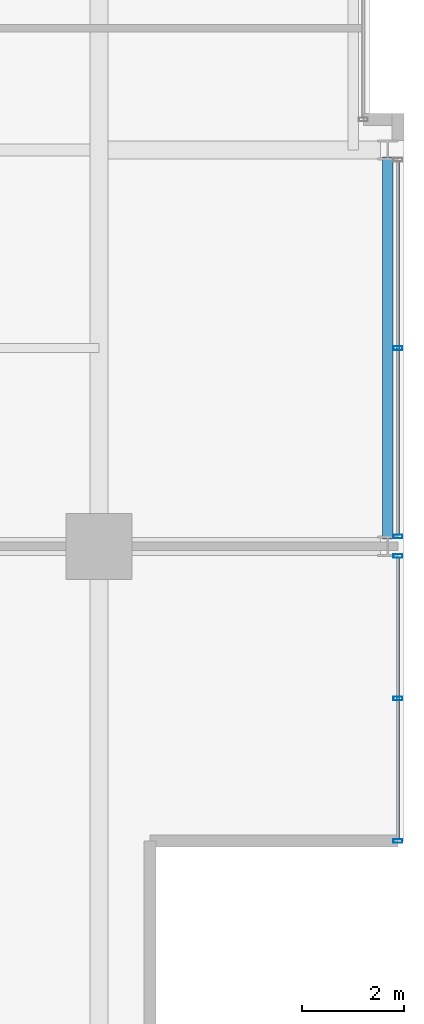
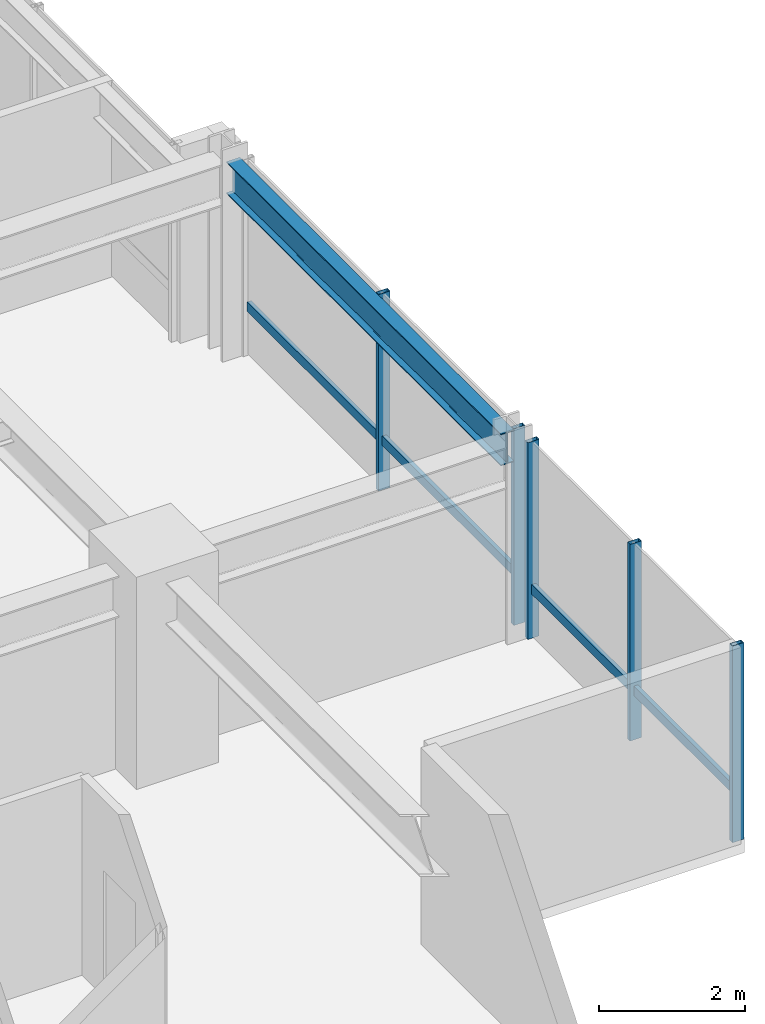
# One storey, part 13 of 32: 7 members, 1 beam, 2 elements without a shape of their own.
"""IFC4 building model written with IfcOpenShell, lengths in metres."""

from ifc_helpers import new_model, si_unit, direction, frame, origin, origin_2d, place, context, subcontext, project, spatial, hollow_rectangle, i_section, extrude, material, layer, layer_set, material_profile, profile_set, type_object, element, aggregate, save


model = new_model("IFC4")

# Units and contexts
model_context = context("Model", 3, precision=1e-05, world=origin(), true_north=direction((0.0, 1.0)))
body_context = subcontext(model_context, "Body", "Model", "MODEL_VIEW")
ifc_project = project(units=[si_unit("LENGTHUNIT", "METRE"), si_unit("AREAUNIT", "SQUARE_METRE"), si_unit("VOLUMEUNIT", "CUBIC_METRE"), si_unit("PLANEANGLEUNIT", "RADIAN"), si_unit("MASSUNIT", "GRAM", prefix="KILO")], contexts=[model_context])

# Site, building, storey
site_placement = place(None, origin())
site = spatial("IfcSite", under=ifc_project, at=site_placement, CompositionType="ELEMENT")
building_placement = place(site_placement, origin())
building = spatial("IfcBuilding", under=site, at=building_placement, Name="Drelvath Grand Hotel", CompositionType="ELEMENT")
storey_placement = place(building_placement, frame((0.0, 0.0, 182.35009765625)))
storey = spatial("IfcBuildingStorey", under=building, at=storey_placement, Name="L47", CompositionType="ELEMENT", Elevation=182.35009765625)

# Curtain wall, member
ifc_material_1 = material(Name="Brushed Pale-Silver Anodised Aluminium Frame", Category="aluminium")
ifc_layer = layer(ifc_material_1, 0.199951171875)
ifc_layer_set = layer_set([ifc_layer], Name="Brushed Pale-Silver Anodised Aluminium Frame")
curtain_wall_type = type_object("IfcCurtainWallType", Name="Stick Curtain Wall CW-04 Brushed Silver Upper-Mid", PredefinedType="NOTDEFINED", material=ifc_layer_set)
curtain_wall_1_placement = place(storey_placement, origin())
curtain_wall_1 = element("IfcCurtainWall", 1, at=curtain_wall_1_placement, inside=storey, type_object=curtain_wall_type, Name="L47 CW-04 Curtain Wall CW04-L47-ES1", PredefinedType="NOTDEFINED")
ifc_material_profile_1 = material_profile(ifc_material_1, hollow_rectangle(XDim=0.06494140625, YDim=0.159912109375, WallThickness=0.00390625, at=origin_2d()), Name="HSS160X65X4")
ifc_profile_set_1 = profile_set([ifc_material_profile_1], Name="Brushed Pale-Silver Anodised Aluminium Frame")
member_type_1 = type_object("IfcMemberType", Name="Curtain Wall Horizontal Transom CW-04 HSS160X65X4", PredefinedType="USERDEFINED", material=ifc_profile_set_1)
member_1_placement = place(storey_placement, frame((22.080078125, 10.568359375, 0.822509765625), z_axis=(0.0, -1.0, 0.0), x_axis=(1.0, 0.0, 0.0)))
member_1 = element("IfcMember", 2, at=member_1_placement, type_object=member_type_1, Name="CW04-L47-ES1 Sill Transom", ObjectType="TRANSOM", PredefinedType="USERDEFINED", context=body_context, shape_type="SweptSolid", body=[
    extrude(hollow_rectangle(XDim=0.06494140625, YDim=0.159912109375, WallThickness=0.00390625, at=origin_2d()), origin(), (0.0, 0.0, 1.0), 5.5283203125),
])

curtain_wall_2_placement = place(storey_placement, origin())
curtain_wall_2 = element("IfcCurtainWall", 3, at=curtain_wall_2_placement, inside=storey, type_object=curtain_wall_type, Name="L47 CW-04 Curtain Wall CW04-L47-ES2", PredefinedType="NOTDEFINED")
member_2_placement = place(storey_placement, frame((22.080078125, 18.368408203125, 0.822509765625), z_axis=(0.0, -1.0, 0.0), x_axis=(1.0, 0.0, 0.0)))
member_2 = element("IfcMember", 4, at=member_2_placement, type_object=member_type_1, Name="CW04-L47-ES2 Sill Transom", ObjectType="TRANSOM", PredefinedType="USERDEFINED", context=body_context, shape_type="SweptSolid", body=[
    extrude(hollow_rectangle(XDim=0.06494140625, YDim=0.159912109375, WallThickness=0.00390625, at=origin_2d()), origin(), (0.0, 0.0, 1.0), 7.336669921875),
])

# Member
ifc_material_profile_2 = material_profile(ifc_material_1, hollow_rectangle(XDim=0.074951171875, YDim=0.179931640625, WallThickness=0.0048828125, at=origin_2d()), Name="HSS180X75X5")
ifc_profile_set_2 = profile_set([ifc_material_profile_2], Name="Brushed Pale-Silver Anodised Aluminium Frame")
member_type_2 = type_object("IfcMemberType", Name="Curtain Wall Vertical Mullion CW-04 HSS180X75X5", PredefinedType="MULLION", material=ifc_profile_set_2)
member_3_placement = place(storey_placement, frame((22.080078125, 10.6083984375, 0.0), z_axis=(0.0, 0.0, 1.0), x_axis=(0.0, 1.0, 0.0)))
member_3 = element("IfcMember", 5, at=member_3_placement, type_object=member_type_2, Name="CW04-L47-ES1 Mullion 1", PredefinedType="MULLION", context=body_context, shape_type="SweptSolid", body=[
    extrude(hollow_rectangle(XDim=0.074951171875, YDim=0.179931640625, WallThickness=0.0048828125, at=origin_2d()), origin(), (0.0, 0.0, 1.0), 3.289794921875),
])

member_4_placement = place(storey_placement, frame((22.080078125, 7.80419921875, 0.0), z_axis=(0.0, 0.0, 1.0), x_axis=(0.0, 1.0, 0.0)))
member_4 = element("IfcMember", 6, at=member_4_placement, type_object=member_type_2, Name="CW04-L47-ES1 Mullion 2", PredefinedType="MULLION", context=body_context, shape_type="SweptSolid", body=[
    extrude(hollow_rectangle(XDim=0.074951171875, YDim=0.179931640625, WallThickness=0.0048828125, at=origin_2d()), origin(), (0.0, 0.0, 1.0), 3.289794921875),
])

member_5_placement = place(storey_placement, frame((22.080078125, 5.0, 0.0), z_axis=(0.0, 0.0, 1.0), x_axis=(0.0, 1.0, 0.0)))
member_5 = element("IfcMember", 7, at=member_5_placement, type_object=member_type_2, Name="CW04-L47-ES1 Mullion 3", PredefinedType="MULLION", context=body_context, shape_type="SweptSolid", body=[
    extrude(hollow_rectangle(XDim=0.074951171875, YDim=0.179931640625, WallThickness=0.0048828125, at=origin_2d()), origin(), (0.0, 0.0, 1.0), 3.289794921875),
])

aggregate(curtain_wall_1, [member_3, member_4, member_5, member_1])

member_6_placement = place(storey_placement, frame((22.080078125, 14.7001953125, 0.0), z_axis=(0.0, 0.0, 1.0), x_axis=(0.0, 1.0, 0.0)))
member_6 = element("IfcMember", 8, at=member_6_placement, type_object=member_type_2, Name="CW04-L47-ES2 Mullion 2", PredefinedType="MULLION", context=body_context, shape_type="SweptSolid", body=[
    extrude(hollow_rectangle(XDim=0.074951171875, YDim=0.179931640625, WallThickness=0.0048828125, at=origin_2d()), origin(), (0.0, 0.0, 1.0), 3.289794921875),
])

member_7_placement = place(storey_placement, frame((22.080078125, 10.99169921875, 0.0), z_axis=(0.0, 0.0, 1.0), x_axis=(0.0, 1.0, 0.0)))
member_7 = element("IfcMember", 9, at=member_7_placement, type_object=member_type_2, Name="CW04-L47-ES2 Mullion 3", PredefinedType="MULLION", context=body_context, shape_type="SweptSolid", body=[
    extrude(hollow_rectangle(XDim=0.074951171875, YDim=0.179931640625, WallThickness=0.0048828125, at=origin_2d()), origin(), (0.0, 0.0, 1.0), 3.289794921875),
])

aggregate(curtain_wall_2, [member_6, member_7, member_2])

# Beam
ifc_material_2 = material(Name="Steel ASTM A992 Gr 50", Category="steel")
ifc_material_profile_3 = material_profile(ifc_material_2, i_section(OverallWidth=0.210205078125, OverallDepth=0.53662109375, WebThickness=0.010986328125, FlangeThickness=0.017333984375, FilletRadius=0.01806640625, at=origin_2d()), Name="W21X68")
ifc_profile_set_3 = profile_set([ifc_material_profile_3], Name="Steel ASTM A992 Gr 50")
beam_type = type_object("IfcBeamType", Name="Perimeter Spandrel Beam W21X68", PredefinedType="SPANDREL", material=ifc_profile_set_3)
beam_placement = place(storey_placement, frame((21.8798828125, 10.93994140625, 3.021484375), z_axis=(0.0, 1.0, 0.0), x_axis=(-1.0, 0.0, 0.0)))
element("IfcBeam", 10, at=beam_placement, inside=storey, type_object=beam_type, Name="L47 Spandrel East S", PredefinedType="SPANDREL", context=body_context, shape_type="SweptSolid", body=[
    extrude(i_section(OverallWidth=0.210205078125, OverallDepth=0.53662109375, WebThickness=0.010986328125, FlangeThickness=0.017333984375, FilletRadius=0.01806640625, at=origin_2d()), origin(), (0.0, 0.0, 1.0), 7.52001953125),
])

save(model, "model.ifc")
